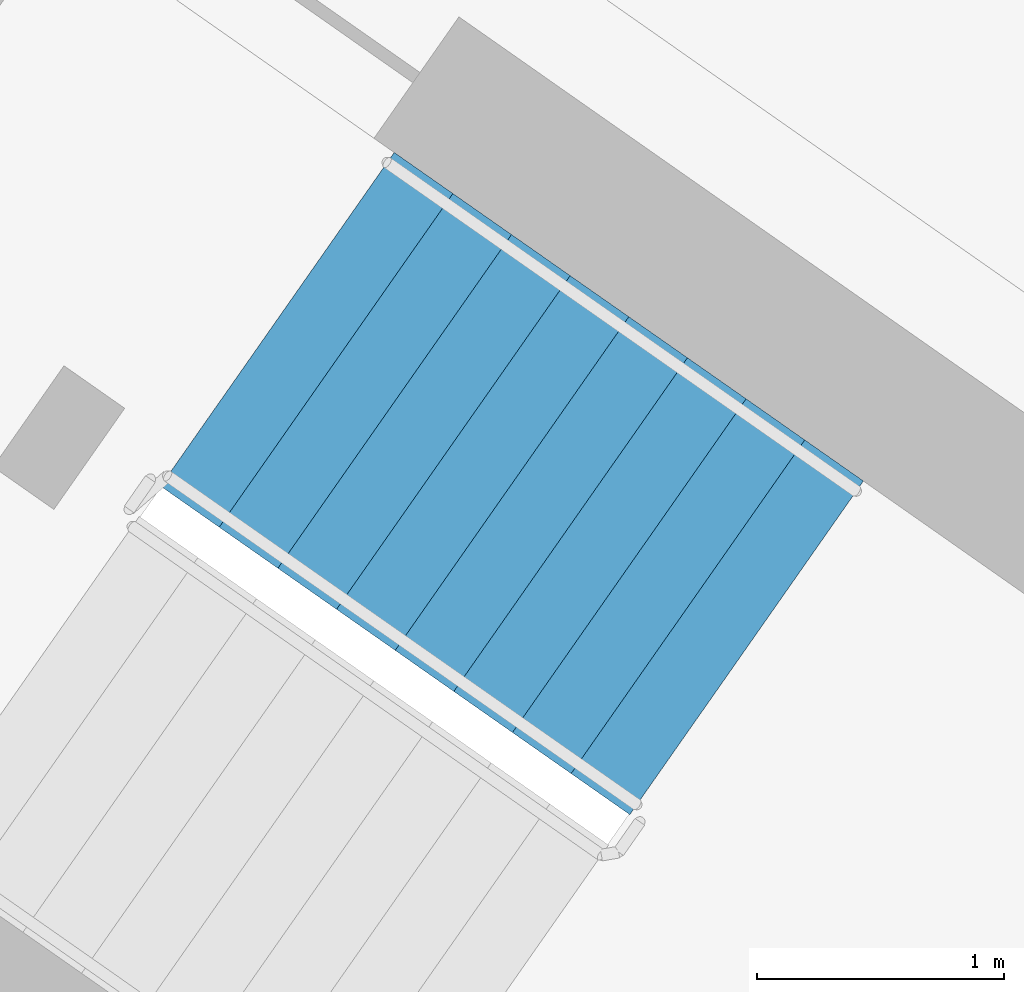
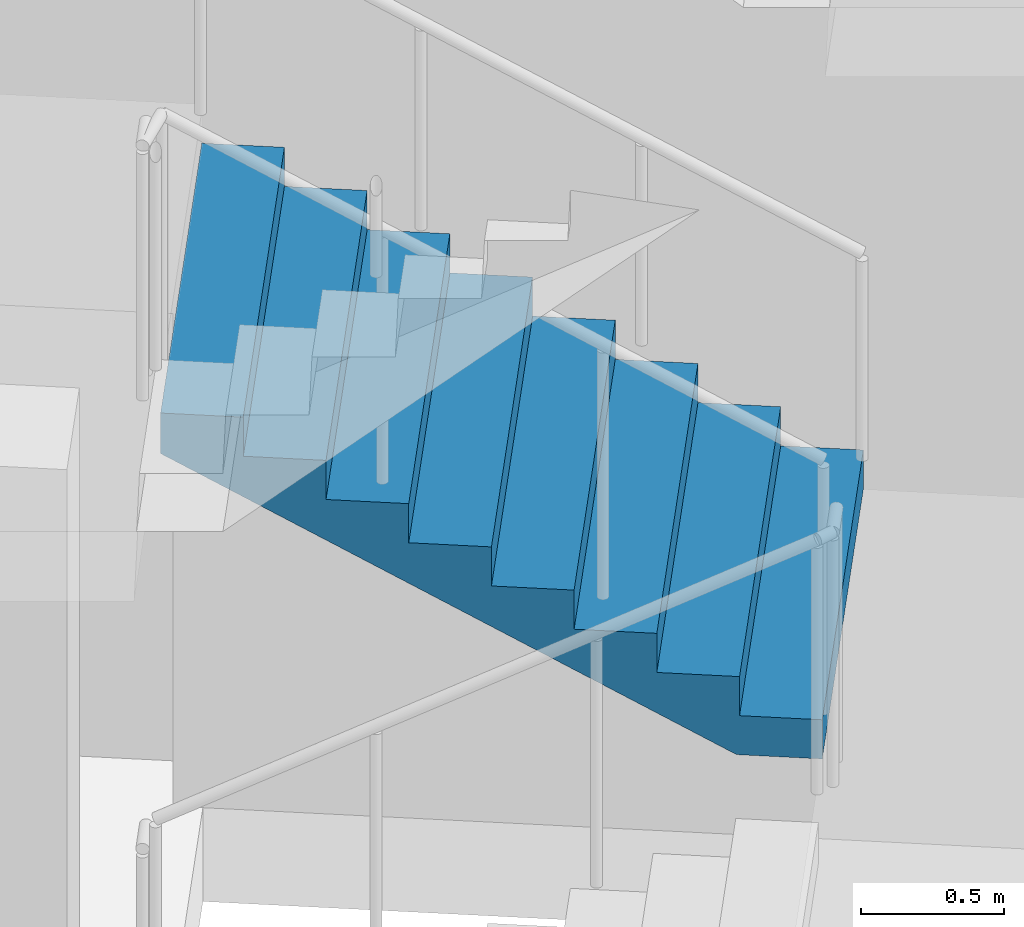
# One storey, part 12 of 41: 1 stair flight, 1 element without a shape of its own.
"""IFC4 building model written with IfcOpenShell, lengths in metres."""

import ifcopenshell
import ifcopenshell.guid

model = None  # the IFC model being written
_history = None  # IfcOwnerHistory: only IFC2X3 demands one
_inside = {}  # id of a spatial element -> (the spatial element, [elements in it])
_under = {}  # id of a project, library or spatial element -> (it, [spatial elements below it])
_declared = {}  # id of a project -> (the project, [libraries it declares])
_typed = {}  # id of a type object -> (the type object, [elements of that type])
_made_of = {}  # id of a material, layer set ... -> (it, [elements and type objects made of it])


def new_model(schema):
    """Start an empty IFC model of exactly this schema.

    Asked for "IFC4X3", IfcOpenShell would pick the latest addendum, in which some entities
    have other attributes; the version numbers below select the first issue.
    IFC2X3 requires an IfcOwnerHistory on every rooted entity: one is made here for all.
    """
    global model, _history
    if schema == "IFC4X3":
        model = ifcopenshell.file(schema_version=(4, 3, 0, 0))
    else:
        model = ifcopenshell.file(schema=schema)
    _inside.clear()
    _under.clear()
    _declared.clear()
    _typed.clear()
    _made_of.clear()
    _history = None
    if model.schema == "IFC2X3":
        org = make("IfcOrganization", Name="unknown")
        user = make(
            "IfcPersonAndOrganization",
            ThePerson=make("IfcPerson", FamilyName="unknown"),
            TheOrganization=org,
        )
        app = make(
            "IfcApplication",
            ApplicationDeveloper=org,
            Version="unknown",
            ApplicationFullName="unknown",
            ApplicationIdentifier="unknown",
        )
        _history = make(
            "IfcOwnerHistory",
            OwningUser=user,
            OwningApplication=app,
            ChangeAction="ADDED",
            CreationDate=0,
        )
    return model


def make(cls, **values):
    """One entity of the class cls with the attributes given. An attribute that is None is left unset."""
    return model.create_entity(
        cls, **{name: value for name, value in values.items() if value is not None}
    )


def rooted(cls, **values):
    """An entity with a GlobalId (a new one), such as an element, a storey or a relation."""
    return make(cls, GlobalId=ifcopenshell.guid.new(), OwnerHistory=_history, **values)


def si_unit(unit_type, name, prefix=None):
    """IfcSIUnit, for example si_unit("LENGTHUNIT", "METRE", prefix="MILLI")."""
    return make("IfcSIUnit", UnitType=unit_type, Prefix=prefix, Name=name)


def assignment(units):
    """IfcUnitAssignment: the units of a project."""
    return None if units is None else make("IfcUnitAssignment", Units=units)


def point(xyz):
    """IfcCartesianPoint."""
    return None if xyz is None else make("IfcCartesianPoint", Coordinates=xyz)


def direction(xyz):
    """IfcDirection."""
    return None if xyz is None else make("IfcDirection", DirectionRatios=xyz)


def frame(location, z_axis=None, x_axis=None):
    """IfcAxis2Placement3D, a coordinate frame: its origin and axes. An axis left out is left unset."""
    return make(
        "IfcAxis2Placement3D",
        Location=point(location),
        Axis=direction(z_axis),
        RefDirection=direction(x_axis),
    )


def origin():
    """The frame at (0, 0, 0) with its axes left unset."""
    return frame((0.0, 0.0, 0.0))


def place(relative_to, where):
    """IfcLocalPlacement: puts the frame where relative to a parent placement (None: the world)."""
    return make(
        "IfcLocalPlacement", PlacementRelTo=relative_to, RelativePlacement=where
    )


def context(
    kind, dimensions, precision=None, world=None, true_north=None, identifier=None
):
    """IfcGeometricRepresentationContext, for example the 3D "Model" context."""
    return make(
        "IfcGeometricRepresentationContext",
        ContextIdentifier=identifier,
        ContextType=kind,
        CoordinateSpaceDimension=dimensions,
        Precision=precision,
        WorldCoordinateSystem=world,
        TrueNorth=true_north,
    )


def subcontext(parent, identifier, kind, view, scale=None):
    """IfcGeometricRepresentationSubContext, for example "Body" below "Model"."""
    return make(
        "IfcGeometricRepresentationSubContext",
        ContextIdentifier=identifier,
        ContextType=kind,
        ParentContext=parent,
        TargetScale=scale,
        TargetView=view,
    )


def project(units=None, contexts=None):
    """IfcProject with its units and contexts."""
    return rooted(
        "IfcProject",
        Name="project",
        RepresentationContexts=contexts,
        UnitsInContext=assignment(units),
    )


def spatial(cls, under=None, at=None, **own):
    """A site, building, storey or space (cls), placed at a placement, below another one or the project."""
    s = rooted(cls, ObjectPlacement=at, **own)
    if under is not None:
        _under.setdefault(under.id(), (under, []))[1].append(s)
    return s


def faces_of(points, faces, orient=None, outer=None):
    """IfcFace entities. A face is a list of loops; a loop is a list of indices into points, from 0.

    orient and outer hold one flag for each loop. By default every Orientation is true, the
    first loop of a face is its IfcFaceOuterBound and the others are IfcFaceBound.
    """
    made = []
    for i, loops in enumerate(faces):
        bounds = []
        for j, loop in enumerate(loops):
            is_outer = j == 0 if outer is None else outer[i][j]
            bounds.append(
                make(
                    "IfcFaceOuterBound" if is_outer else "IfcFaceBound",
                    Bound=make("IfcPolyLoop", Polygon=[points[k] for k in loop]),
                    Orientation=True if orient is None else orient[i][j],
                )
            )
        made.append(make("IfcFace", Bounds=bounds))
    return made


def faceted_brep(points, faces, orient=None, outer=None, voids=None):
    """IfcFacetedBrep: a solid bounded by flat faces; with voids (closed shells), ...WithVoids."""
    shared = [point(p) for p in points]
    hull = make("IfcClosedShell", CfsFaces=faces_of(shared, faces, orient, outer))
    if voids is None:
        return make("IfcFacetedBrep", Outer=hull)
    return make(
        "IfcFacetedBrepWithVoids",
        Outer=hull,
        Voids=[
            make(cls, CfsFaces=faces_of(shared, fs, o, b)) for cls, fs, o, b in voids
        ],
    )


def shape(context_of_items, identifier, shape_type, items):
    """IfcShapeRepresentation: the items that make up one representation, for example the "Body"."""
    return make(
        "IfcShapeRepresentation",
        ContextOfItems=context_of_items,
        RepresentationIdentifier=identifier,
        RepresentationType=shape_type,
        Items=items,
    )


def material(Name=None, Category=None):
    """IfcMaterial."""
    return make("IfcMaterial", Name=Name, Category=Category)


def made_of(thing, what):
    """Note that an element or type object is made of a material, layer set ...; save() writes the relation."""
    if what is not None:
        _made_of.setdefault(what.id(), (what, []))[1].append(thing)
    return thing


def type_object(cls, material=None, **own):
    """A type object (cls), such as IfcWallType, which elements share."""
    return made_of(rooted(cls, **own), material)


def element(
    cls,
    number,
    at=None,
    inside=None,
    cuts=None,
    type_object=None,
    material=None,
    context=None,
    identifier="Body",
    shape_type=None,
    held_by="IfcProductDefinitionShape",
    body=None,
    shapes=None,
    **own,
):
    """One element of the class cls, such as IfcWall. Its Tag is "e" and its number.

    at: its placement. inside: the storey or other place that contains it. cuts: it is an
    opening in that element (IfcRelVoidsElement). A single representation is given by context,
    identifier, shape_type and body (its items); several are given by shapes. held_by: the class
    of the entity that holds the representations. save() writes the other relations.
    """
    e = rooted(cls, Tag="e%d" % number, ObjectPlacement=at, **own)
    if body is not None:
        shapes = [shape(context, identifier, shape_type, body)]
    if shapes is not None:
        e.Representation = make(held_by, Representations=shapes)
    if inside is not None:
        _inside.setdefault(inside.id(), (inside, []))[1].append(e)
    if cuts is not None:
        rooted(
            "IfcRelVoidsElement", RelatingBuildingElement=cuts, RelatedOpeningElement=e
        )
    if type_object is not None:
        _typed.setdefault(type_object.id(), (type_object, []))[1].append(e)
    return made_of(e, material)


def aggregate(whole, parts):
    """IfcRelAggregates: a whole, such as a stair, and the parts it consists of."""
    return rooted("IfcRelAggregates", RelatingObject=whole, RelatedObjects=parts)


def save(model, path):
    """Write the relations noted so far, then the file.

    IfcRelAggregates (storeys below a building ...), IfcRelContainedInSpatialStructure (elements
    in a storey), IfcRelDefinesByType, IfcRelAssociatesMaterial and IfcRelDeclares: one each for
    every whole, place, type object, material and project.
    """
    for whole, parts in _under.values():
        aggregate(whole, parts)
    for where, things in _inside.values():
        rooted(
            "IfcRelContainedInSpatialStructure",
            RelatedElements=things,
            RelatingStructure=where,
        )
    for kind, things in _typed.values():
        rooted("IfcRelDefinesByType", RelatedObjects=things, RelatingType=kind)
    for what, things in _made_of.values():
        rooted("IfcRelAssociatesMaterial", RelatedObjects=things, RelatingMaterial=what)
    for by, libraries in _declared.values():
        rooted("IfcRelDeclares", RelatingContext=by, RelatedDefinitions=libraries)
    model.write(path)


model = new_model("IFC4")

# Units and contexts
model_context = context("Model", 3, precision=1e-05, world=origin(), true_north=direction((0.0, 1.0)))
body_context = subcontext(model_context, "Body", "Model", "MODEL_VIEW")
ifc_project = project(units=[si_unit("LENGTHUNIT", "METRE"), si_unit("AREAUNIT", "SQUARE_METRE"), si_unit("VOLUMEUNIT", "CUBIC_METRE"), si_unit("PLANEANGLEUNIT", "RADIAN"), si_unit("MASSUNIT", "GRAM", prefix="KILO")], contexts=[model_context])

# Site, building, storey
site_placement = place(None, origin())
site = spatial("IfcSite", under=ifc_project, at=site_placement, CompositionType="ELEMENT")
building_placement = place(site_placement, origin())
building = spatial("IfcBuilding", under=site, at=building_placement, Name="Qamariyya Broadcast Tower", CompositionType="ELEMENT")
storey_placement = place(building_placement, frame((0.0, 0.0, 284.699951171875)))
storey = spatial("IfcBuildingStorey", under=building, at=storey_placement, Name="L69", CompositionType="ELEMENT", Elevation=284.699951171875)

# Stair, stair flight
ifc_material = material(Name="Concrete C50/60", Category="concrete")
stair_type = type_object("IfcStairType", Name="Exit stair 36 risers of 167 mm", PredefinedType="HALF_TURN_STAIR", material=ifc_material)
stair_placement = place(storey_placement, origin())
stair = element("IfcStair", 1, at=stair_placement, inside=storey, type_object=stair_type, Name="L69 Stair W2", PredefinedType="HALF_TURN_STAIR")
stair_flight_type = type_object("IfcStairFlightType", Name="Exit stair flight 9 risers of 167 mm", PredefinedType="STRAIGHT", material=ifc_material)
stair_flight_placement = place(storey_placement, frame((-38.658203125, -49.015869140625, 1.5), z_axis=(0.0, 0.0, 1.0), x_axis=(-0.819152044289, 0.573576436351, 0.0)))
stair_flight = element("IfcStairFlight", 2, at=stair_flight_placement, type_object=stair_flight_type, Name="ST-W2 flight 2", NumberOfRisers=9, NumberOfTreads=8, PredefinedType="STRAIGHT", RiserHeight=0.166666667, TreadLength=0.29, context=body_context, shape_type="Brep", body=[
    faceted_brep([(0.0, 0.824951171875, 0.0), (0.0, 0.824951171875, 0.166748046875), (0.2900390625, 0.824951171875, 0.166748046875), (0.2900390625, 0.824951171875, 0.333251953125), (0.580078125, 0.824951171875, 0.333251953125), (0.580078125, 0.824951171875, 0.5), (0.8701171875, 0.824951171875, 0.5), (0.8701171875, 0.824951171875, 0.666748046875), (1.159912109375, 0.824951171875, 0.666748046875), (1.159912109375, 0.824951171875, 0.833251953125), (1.449951171875, 0.824951171875, 0.833251953125), (1.449951171875, 0.824951171875, 1.0), (1.739990234375, 0.824951171875, 1.0), (1.739990234375, 0.824951171875, 1.166748046875), (2.030029296875, 0.824951171875, 1.166748046875), (2.030029296875, 0.824951171875, 1.333251953125), (2.320068359375, 0.824951171875, 1.333251953125), (2.320068359375, 0.824951171875, 1.160400390625), (0.30078125, 0.824951171875, 0.0), (0.30078125, -0.824951171875, 0.0), (2.320068359375, -0.824951171875, 1.160400390625), (2.320068359375, -0.824951171875, 1.333251953125), (2.030029296875, -0.824951171875, 1.333251953125), (2.030029296875, -0.824951171875, 1.166748046875), (1.739990234375, -0.824951171875, 1.166748046875), (1.739990234375, -0.824951171875, 1.0), (1.449951171875, -0.824951171875, 1.0), (1.449951171875, -0.824951171875, 0.833251953125), (1.159912109375, -0.824951171875, 0.833251953125), (1.159912109375, -0.824951171875, 0.666748046875), (0.8701171875, -0.824951171875, 0.666748046875), (0.8701171875, -0.824951171875, 0.5), (0.580078125, -0.824951171875, 0.5), (0.580078125, -0.824951171875, 0.333251953125), (0.2900390625, -0.824951171875, 0.333251953125), (0.2900390625, -0.824951171875, 0.166748046875), (0.0, -0.824951171875, 0.166748046875), (0.0, -0.824951171875, 0.0), (0.0, 0.10009765625, 0.0), (0.0, 0.086669921875, 0.0), (0.0, 0.0732421875, 0.0), (0.0, 0.06005859375, 0.0), (0.0, 0.046630859375, 0.0), (0.0, 0.033447265625, 0.0), (0.0, 0.02001953125, 0.0), (0.0, 0.006591796875, 0.0), (0.0, -0.006591796875, 0.0), (0.0, -0.02001953125, 0.0), (0.0, -0.033447265625, 0.0), (0.0, -0.046630859375, 0.0), (0.0, -0.06005859375, 0.0), (0.0, -0.0732421875, 0.0), (0.0, -0.086669921875, 0.0), (0.0, -0.10009765625, 0.0), (0.0, -0.10009765625, 0.166748046875), (0.0, -0.086669921875, 0.166748046875), (0.0, -0.0732421875, 0.166748046875), (0.0, -0.06005859375, 0.166748046875), (0.0, -0.046630859375, 0.166748046875), (0.0, -0.033447265625, 0.166748046875), (0.0, -0.02001953125, 0.166748046875), (0.0, -0.006591796875, 0.166748046875), (0.0, 0.006591796875, 0.166748046875), (0.0, 0.02001953125, 0.166748046875), (0.0, 0.033447265625, 0.166748046875), (0.0, 0.046630859375, 0.166748046875), (0.0, 0.06005859375, 0.166748046875), (0.0, 0.0732421875, 0.166748046875), (0.0, 0.086669921875, 0.166748046875), (0.0, 0.10009765625, 0.166748046875), (0.2900390625, -0.10009765625, 0.166748046875), (0.2900390625, -0.086669921875, 0.166748046875), (0.2900390625, -0.0732421875, 0.166748046875), (0.2900390625, -0.06005859375, 0.166748046875), (0.2900390625, -0.046630859375, 0.166748046875), (0.2900390625, -0.033447265625, 0.166748046875), (0.2900390625, -0.02001953125, 0.166748046875), (0.2900390625, -0.006591796875, 0.166748046875), (0.2900390625, 0.006591796875, 0.166748046875), (0.2900390625, 0.02001953125, 0.166748046875), (0.2900390625, 0.033447265625, 0.166748046875), (0.2900390625, 0.046630859375, 0.166748046875), (0.2900390625, 0.06005859375, 0.166748046875), (0.2900390625, 0.0732421875, 0.166748046875), (0.2900390625, 0.086669921875, 0.166748046875), (0.2900390625, 0.10009765625, 0.166748046875), (0.2900390625, -0.10009765625, 0.333251953125), (0.2900390625, -0.086669921875, 0.333251953125), (0.2900390625, -0.0732421875, 0.333251953125), (0.2900390625, -0.06005859375, 0.333251953125), (0.2900390625, -0.046630859375, 0.333251953125), (0.2900390625, -0.033447265625, 0.333251953125), (0.2900390625, -0.02001953125, 0.333251953125), (0.2900390625, -0.006591796875, 0.333251953125), (0.2900390625, 0.006591796875, 0.333251953125), (0.2900390625, 0.02001953125, 0.333251953125), (0.2900390625, 0.033447265625, 0.333251953125), (0.2900390625, 0.046630859375, 0.333251953125), (0.2900390625, 0.06005859375, 0.333251953125), (0.2900390625, 0.0732421875, 0.333251953125), (0.2900390625, 0.086669921875, 0.333251953125), (0.2900390625, 0.10009765625, 0.333251953125), (0.580078125, -0.10009765625, 0.333251953125), (0.580078125, -0.086669921875, 0.333251953125), (0.580078125, -0.0732421875, 0.333251953125), (0.580078125, -0.06005859375, 0.333251953125), (0.580078125, -0.046630859375, 0.333251953125), (0.580078125, -0.033447265625, 0.333251953125), (0.580078125, -0.02001953125, 0.333251953125), (0.580078125, -0.006591796875, 0.333251953125), (0.580078125, 0.006591796875, 0.333251953125), (0.580078125, 0.02001953125, 0.333251953125), (0.580078125, 0.033447265625, 0.333251953125), (0.580078125, 0.046630859375, 0.333251953125), (0.580078125, 0.06005859375, 0.333251953125), (0.580078125, 0.0732421875, 0.333251953125), (0.580078125, 0.086669921875, 0.333251953125), (0.580078125, 0.10009765625, 0.333251953125), (0.580078125, -0.10009765625, 0.5), (0.580078125, -0.086669921875, 0.5), (0.580078125, -0.0732421875, 0.5), (0.580078125, -0.06005859375, 0.5), (0.580078125, -0.046630859375, 0.5), (0.580078125, -0.033447265625, 0.5), (0.580078125, -0.02001953125, 0.5), (0.580078125, -0.006591796875, 0.5), (0.580078125, 0.006591796875, 0.5), (0.580078125, 0.02001953125, 0.5), (0.580078125, 0.033447265625, 0.5), (0.580078125, 0.046630859375, 0.5), (0.580078125, 0.06005859375, 0.5), (0.580078125, 0.0732421875, 0.5), (0.580078125, 0.086669921875, 0.5), (0.580078125, 0.10009765625, 0.5), (0.8701171875, -0.10009765625, 0.5), (0.8701171875, -0.086669921875, 0.5), (0.8701171875, -0.0732421875, 0.5), (0.8701171875, -0.06005859375, 0.5), (0.8701171875, -0.046630859375, 0.5), (0.8701171875, -0.033447265625, 0.5), (0.8701171875, -0.02001953125, 0.5), (0.8701171875, -0.006591796875, 0.5), (0.8701171875, 0.006591796875, 0.5), (0.8701171875, 0.02001953125, 0.5), (0.8701171875, 0.033447265625, 0.5), (0.8701171875, 0.046630859375, 0.5), (0.8701171875, 0.06005859375, 0.5), (0.8701171875, 0.0732421875, 0.5), (0.8701171875, 0.086669921875, 0.5), (0.8701171875, 0.10009765625, 0.5), (0.8701171875, -0.10009765625, 0.666748046875), (0.8701171875, -0.086669921875, 0.666748046875), (0.8701171875, -0.0732421875, 0.666748046875), (0.8701171875, -0.06005859375, 0.666748046875), (0.8701171875, -0.046630859375, 0.666748046875), (0.8701171875, -0.033447265625, 0.666748046875), (0.8701171875, -0.02001953125, 0.666748046875), (0.8701171875, -0.006591796875, 0.666748046875), (0.8701171875, 0.006591796875, 0.666748046875), (0.8701171875, 0.02001953125, 0.666748046875), (0.8701171875, 0.033447265625, 0.666748046875), (0.8701171875, 0.046630859375, 0.666748046875), (0.8701171875, 0.06005859375, 0.666748046875), (0.8701171875, 0.0732421875, 0.666748046875), (0.8701171875, 0.086669921875, 0.666748046875), (0.8701171875, 0.10009765625, 0.666748046875), (1.159912109375, -0.10009765625, 0.666748046875), (1.159912109375, -0.086669921875, 0.666748046875), (1.159912109375, -0.0732421875, 0.666748046875), (1.159912109375, -0.06005859375, 0.666748046875), (1.159912109375, -0.046630859375, 0.666748046875), (1.159912109375, -0.033447265625, 0.666748046875), (1.159912109375, -0.02001953125, 0.666748046875), (1.159912109375, -0.006591796875, 0.666748046875), (1.159912109375, 0.006591796875, 0.666748046875), (1.159912109375, 0.02001953125, 0.666748046875), (1.159912109375, 0.033447265625, 0.666748046875), (1.159912109375, 0.046630859375, 0.666748046875), (1.159912109375, 0.06005859375, 0.666748046875), (1.159912109375, 0.0732421875, 0.666748046875), (1.159912109375, 0.086669921875, 0.666748046875), (1.159912109375, 0.10009765625, 0.666748046875), (1.159912109375, -0.10009765625, 0.833251953125), (1.159912109375, -0.086669921875, 0.833251953125), (1.159912109375, -0.0732421875, 0.833251953125), (1.159912109375, -0.06005859375, 0.833251953125), (1.159912109375, -0.046630859375, 0.833251953125), (1.159912109375, -0.033447265625, 0.833251953125), (1.159912109375, -0.02001953125, 0.833251953125), (1.159912109375, -0.006591796875, 0.833251953125), (1.159912109375, 0.006591796875, 0.833251953125), (1.159912109375, 0.02001953125, 0.833251953125), (1.159912109375, 0.033447265625, 0.833251953125), (1.159912109375, 0.046630859375, 0.833251953125), (1.159912109375, 0.06005859375, 0.833251953125), (1.159912109375, 0.0732421875, 0.833251953125), (1.159912109375, 0.086669921875, 0.833251953125), (1.159912109375, 0.10009765625, 0.833251953125), (1.449951171875, -0.10009765625, 0.833251953125), (1.449951171875, -0.086669921875, 0.833251953125), (1.449951171875, -0.0732421875, 0.833251953125), (1.449951171875, -0.06005859375, 0.833251953125), (1.449951171875, -0.046630859375, 0.833251953125), (1.449951171875, -0.033447265625, 0.833251953125), (1.449951171875, -0.02001953125, 0.833251953125), (1.449951171875, -0.006591796875, 0.833251953125), (1.449951171875, 0.006591796875, 0.833251953125), (1.449951171875, 0.02001953125, 0.833251953125), (1.449951171875, 0.033447265625, 0.833251953125), (1.449951171875, 0.046630859375, 0.833251953125), (1.449951171875, 0.06005859375, 0.833251953125), (1.449951171875, 0.0732421875, 0.833251953125), (1.449951171875, 0.086669921875, 0.833251953125), (1.449951171875, 0.10009765625, 0.833251953125), (1.449951171875, -0.10009765625, 1.0), (1.449951171875, -0.086669921875, 1.0), (1.449951171875, -0.0732421875, 1.0), (1.449951171875, -0.06005859375, 1.0), (1.449951171875, -0.046630859375, 1.0), (1.449951171875, -0.033447265625, 1.0), (1.449951171875, -0.02001953125, 1.0), (1.449951171875, -0.006591796875, 1.0), (1.449951171875, 0.006591796875, 1.0), (1.449951171875, 0.02001953125, 1.0), (1.449951171875, 0.033447265625, 1.0), (1.449951171875, 0.046630859375, 1.0), (1.449951171875, 0.06005859375, 1.0), (1.449951171875, 0.0732421875, 1.0), (1.449951171875, 0.086669921875, 1.0), (1.449951171875, 0.10009765625, 1.0), (1.739990234375, -0.10009765625, 1.0), (1.739990234375, -0.086669921875, 1.0), (1.739990234375, -0.0732421875, 1.0), (1.739990234375, -0.06005859375, 1.0), (1.739990234375, -0.046630859375, 1.0), (1.739990234375, -0.033447265625, 1.0), (1.739990234375, -0.02001953125, 1.0), (1.739990234375, -0.006591796875, 1.0), (1.739990234375, 0.006591796875, 1.0), (1.739990234375, 0.02001953125, 1.0), (1.739990234375, 0.033447265625, 1.0), (1.739990234375, 0.046630859375, 1.0), (1.739990234375, 0.06005859375, 1.0), (1.739990234375, 0.0732421875, 1.0), (1.739990234375, 0.086669921875, 1.0), (1.739990234375, 0.10009765625, 1.0), (1.739990234375, -0.10009765625, 1.166748046875), (1.739990234375, -0.086669921875, 1.166748046875), (1.739990234375, -0.0732421875, 1.166748046875), (1.739990234375, -0.06005859375, 1.166748046875), (1.739990234375, -0.046630859375, 1.166748046875), (1.739990234375, -0.033447265625, 1.166748046875), (1.739990234375, -0.02001953125, 1.166748046875), (1.739990234375, -0.006591796875, 1.166748046875), (1.739990234375, 0.006591796875, 1.166748046875), (1.739990234375, 0.02001953125, 1.166748046875), (1.739990234375, 0.033447265625, 1.166748046875), (1.739990234375, 0.046630859375, 1.166748046875), (1.739990234375, 0.06005859375, 1.166748046875), (1.739990234375, 0.0732421875, 1.166748046875), (1.739990234375, 0.086669921875, 1.166748046875), (1.739990234375, 0.10009765625, 1.166748046875), (2.030029296875, -0.10009765625, 1.166748046875), (2.030029296875, -0.086669921875, 1.166748046875), (2.030029296875, -0.0732421875, 1.166748046875), (2.030029296875, -0.06005859375, 1.166748046875), (2.030029296875, -0.046630859375, 1.166748046875), (2.030029296875, -0.033447265625, 1.166748046875), (2.030029296875, -0.02001953125, 1.166748046875), (2.030029296875, -0.006591796875, 1.166748046875), (2.030029296875, 0.006591796875, 1.166748046875), (2.030029296875, 0.02001953125, 1.166748046875), (2.030029296875, 0.033447265625, 1.166748046875), (2.030029296875, 0.046630859375, 1.166748046875), (2.030029296875, 0.06005859375, 1.166748046875), (2.030029296875, 0.0732421875, 1.166748046875), (2.030029296875, 0.086669921875, 1.166748046875), (2.030029296875, 0.10009765625, 1.166748046875), (2.030029296875, -0.10009765625, 1.333251953125), (2.030029296875, -0.086669921875, 1.333251953125), (2.030029296875, -0.0732421875, 1.333251953125), (2.030029296875, -0.06005859375, 1.333251953125), (2.030029296875, -0.046630859375, 1.333251953125), (2.030029296875, -0.033447265625, 1.333251953125), (2.030029296875, -0.02001953125, 1.333251953125), (2.030029296875, -0.006591796875, 1.333251953125), (2.030029296875, 0.006591796875, 1.333251953125), (2.030029296875, 0.02001953125, 1.333251953125), (2.030029296875, 0.033447265625, 1.333251953125), (2.030029296875, 0.046630859375, 1.333251953125), (2.030029296875, 0.06005859375, 1.333251953125), (2.030029296875, 0.0732421875, 1.333251953125), (2.030029296875, 0.086669921875, 1.333251953125), (2.030029296875, 0.10009765625, 1.333251953125), (2.320068359375, -0.10009765625, 1.333251953125), (2.320068359375, -0.086669921875, 1.333251953125), (2.320068359375, -0.0732421875, 1.333251953125), (2.320068359375, -0.06005859375, 1.333251953125), (2.320068359375, -0.046630859375, 1.333251953125), (2.320068359375, -0.033447265625, 1.333251953125), (2.320068359375, -0.02001953125, 1.333251953125), (2.320068359375, -0.006591796875, 1.333251953125), (2.320068359375, 0.006591796875, 1.333251953125), (2.320068359375, 0.02001953125, 1.333251953125), (2.320068359375, 0.033447265625, 1.333251953125), (2.320068359375, 0.046630859375, 1.333251953125), (2.320068359375, 0.06005859375, 1.333251953125), (2.320068359375, 0.0732421875, 1.333251953125), (2.320068359375, 0.086669921875, 1.333251953125), (2.320068359375, 0.10009765625, 1.333251953125), (2.320068359375, -0.10009765625, 1.160400390625), (2.320068359375, -0.086669921875, 1.160400390625), (2.320068359375, -0.0732421875, 1.160400390625), (2.320068359375, -0.06005859375, 1.160400390625), (2.320068359375, -0.046630859375, 1.160400390625), (2.320068359375, -0.033447265625, 1.160400390625), (2.320068359375, -0.02001953125, 1.160400390625), (2.320068359375, -0.006591796875, 1.160400390625), (2.320068359375, 0.006591796875, 1.160400390625), (2.320068359375, 0.02001953125, 1.160400390625), (2.320068359375, 0.033447265625, 1.160400390625), (2.320068359375, 0.046630859375, 1.160400390625), (2.320068359375, 0.06005859375, 1.160400390625), (2.320068359375, 0.0732421875, 1.160400390625), (2.320068359375, 0.086669921875, 1.160400390625), (2.320068359375, 0.10009765625, 1.160400390625), (0.30078125, -0.10009765625, 0.0), (0.30078125, -0.086669921875, 0.0), (0.30078125, -0.0732421875, 0.0), (0.30078125, -0.06005859375, 0.0), (0.30078125, -0.046630859375, 0.0), (0.30078125, -0.033447265625, 0.0), (0.30078125, -0.02001953125, 0.0), (0.30078125, -0.006591796875, 0.0), (0.30078125, 0.006591796875, 0.0), (0.30078125, 0.02001953125, 0.0), (0.30078125, 0.033447265625, 0.0), (0.30078125, 0.046630859375, 0.0), (0.30078125, 0.06005859375, 0.0), (0.30078125, 0.0732421875, 0.0), (0.30078125, 0.086669921875, 0.0), (0.30078125, 0.10009765625, 0.0)], [[[0, 1, 2, 3, 4, 5, 6, 7, 8, 9, 10, 11, 12, 13, 14, 15, 16, 17, 18]], [[19, 20, 21, 22, 23, 24, 25, 26, 27, 28, 29, 30, 31, 32, 33, 34, 35, 36, 37]], [[0, 38, 39, 40, 41, 42, 43, 44, 45, 46, 47, 48, 49, 50, 51, 52, 53, 37, 36, 54, 55, 56, 57, 58, 59, 60, 61, 62, 63, 64, 65, 66, 67, 68, 69, 1]], [[1, 69, 68, 67, 66, 65, 64, 63, 62, 61, 60, 59, 58, 57, 56, 55, 54, 36, 35, 70, 71, 72, 73, 74, 75, 76, 77, 78, 79, 80, 81, 82, 83, 84, 85, 2]], [[2, 85, 84, 83, 82, 81, 80, 79, 78, 77, 76, 75, 74, 73, 72, 71, 70, 35, 34, 86, 87, 88, 89, 90, 91, 92, 93, 94, 95, 96, 97, 98, 99, 100, 101, 3]], [[3, 101, 100, 99, 98, 97, 96, 95, 94, 93, 92, 91, 90, 89, 88, 87, 86, 34, 33, 102, 103, 104, 105, 106, 107, 108, 109, 110, 111, 112, 113, 114, 115, 116, 117, 4]], [[4, 117, 116, 115, 114, 113, 112, 111, 110, 109, 108, 107, 106, 105, 104, 103, 102, 33, 32, 118, 119, 120, 121, 122, 123, 124, 125, 126, 127, 128, 129, 130, 131, 132, 133, 5]], [[5, 133, 132, 131, 130, 129, 128, 127, 126, 125, 124, 123, 122, 121, 120, 119, 118, 32, 31, 134, 135, 136, 137, 138, 139, 140, 141, 142, 143, 144, 145, 146, 147, 148, 149, 6]], [[6, 149, 148, 147, 146, 145, 144, 143, 142, 141, 140, 139, 138, 137, 136, 135, 134, 31, 30, 150, 151, 152, 153, 154, 155, 156, 157, 158, 159, 160, 161, 162, 163, 164, 165, 7]], [[7, 165, 164, 163, 162, 161, 160, 159, 158, 157, 156, 155, 154, 153, 152, 151, 150, 30, 29, 166, 167, 168, 169, 170, 171, 172, 173, 174, 175, 176, 177, 178, 179, 180, 181, 8]], [[8, 181, 180, 179, 178, 177, 176, 175, 174, 173, 172, 171, 170, 169, 168, 167, 166, 29, 28, 182, 183, 184, 185, 186, 187, 188, 189, 190, 191, 192, 193, 194, 195, 196, 197, 9]], [[9, 197, 196, 195, 194, 193, 192, 191, 190, 189, 188, 187, 186, 185, 184, 183, 182, 28, 27, 198, 199, 200, 201, 202, 203, 204, 205, 206, 207, 208, 209, 210, 211, 212, 213, 10]], [[10, 213, 212, 211, 210, 209, 208, 207, 206, 205, 204, 203, 202, 201, 200, 199, 198, 27, 26, 214, 215, 216, 217, 218, 219, 220, 221, 222, 223, 224, 225, 226, 227, 228, 229, 11]], [[11, 229, 228, 227, 226, 225, 224, 223, 222, 221, 220, 219, 218, 217, 216, 215, 214, 26, 25, 230, 231, 232, 233, 234, 235, 236, 237, 238, 239, 240, 241, 242, 243, 244, 245, 12]], [[12, 245, 244, 243, 242, 241, 240, 239, 238, 237, 236, 235, 234, 233, 232, 231, 230, 25, 24, 246, 247, 248, 249, 250, 251, 252, 253, 254, 255, 256, 257, 258, 259, 260, 261, 13]], [[13, 261, 260, 259, 258, 257, 256, 255, 254, 253, 252, 251, 250, 249, 248, 247, 246, 24, 23, 262, 263, 264, 265, 266, 267, 268, 269, 270, 271, 272, 273, 274, 275, 276, 277, 14]], [[14, 277, 276, 275, 274, 273, 272, 271, 270, 269, 268, 267, 266, 265, 264, 263, 262, 23, 22, 278, 279, 280, 281, 282, 283, 284, 285, 286, 287, 288, 289, 290, 291, 292, 293, 15]], [[15, 293, 292, 291, 290, 289, 288, 287, 286, 285, 284, 283, 282, 281, 280, 279, 278, 22, 21, 294, 295, 296, 297, 298, 299, 300, 301, 302, 303, 304, 305, 306, 307, 308, 309, 16]], [[16, 309, 308, 307, 306, 305, 304, 303, 302, 301, 300, 299, 298, 297, 296, 295, 294, 21, 20, 310, 311, 312, 313, 314, 315, 316, 317, 318, 319, 320, 321, 322, 323, 324, 325, 17]], [[17, 325, 324, 323, 322, 321, 320, 319, 318, 317, 316, 315, 314, 313, 312, 311, 310, 20, 19, 326, 327, 328, 329, 330, 331, 332, 333, 334, 335, 336, 337, 338, 339, 340, 341, 18]], [[18, 341, 340, 339, 338, 337, 336, 335, 334, 333, 332, 331, 330, 329, 328, 327, 326, 19, 37, 53, 52, 51, 50, 49, 48, 47, 46, 45, 44, 43, 42, 41, 40, 39, 38, 0]]]),
])
aggregate(stair, [stair_flight])

save(model, "model.ifc")
